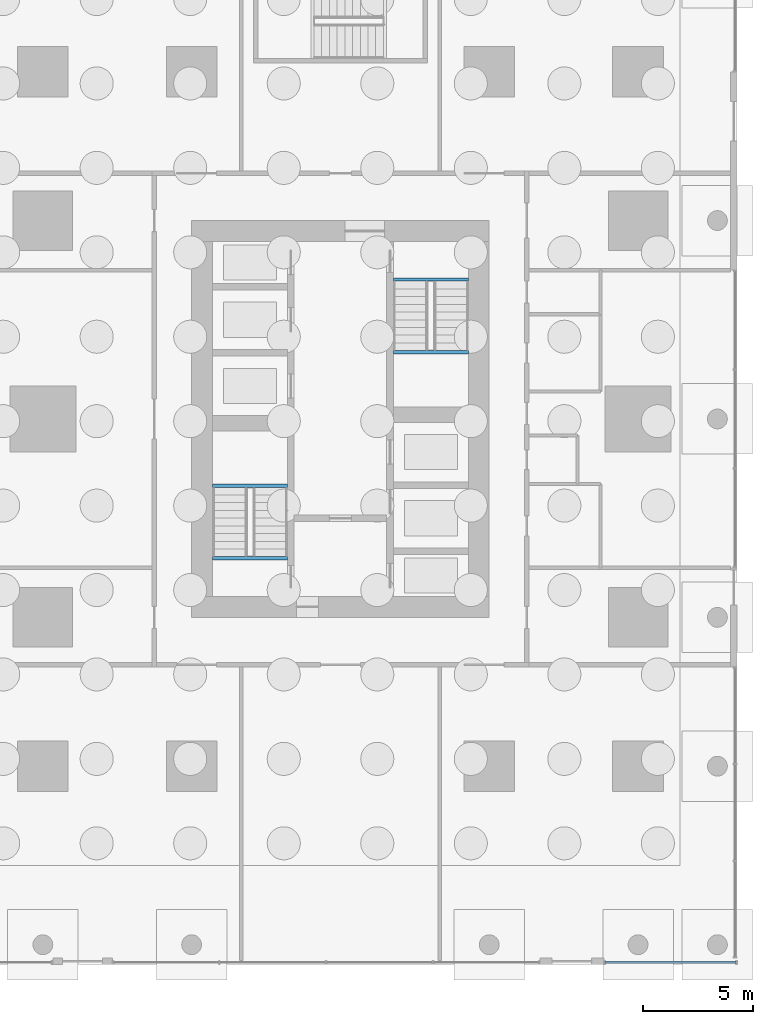
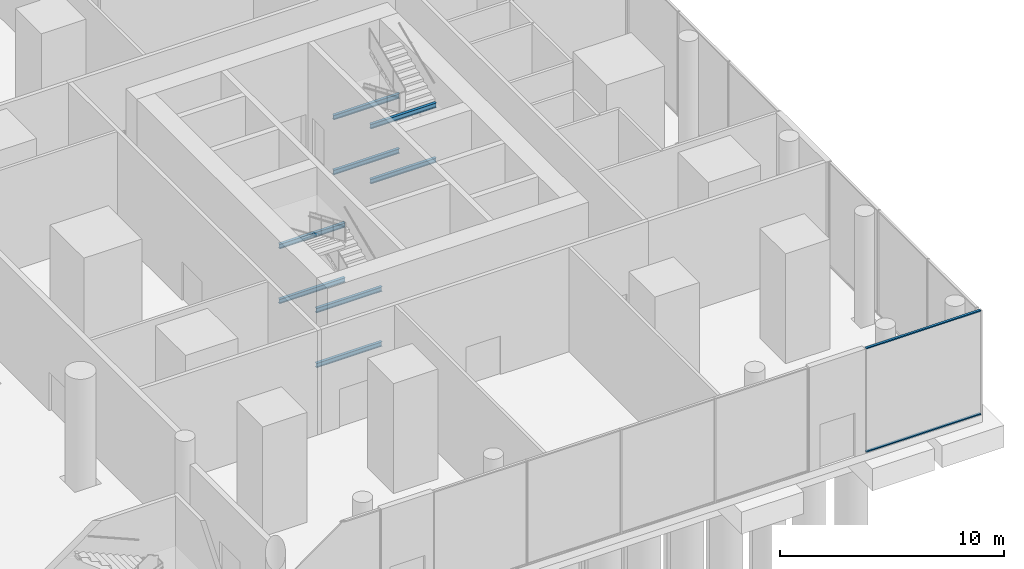
# One storey, part 11 of 31: 8 beams, 2 members, 1 element without a shape of its own.
"""IFC4 building model written with IfcOpenShell, lengths in metres."""

from ifc_helpers import new_model, si_unit, direction, frame, origin, origin_2d, place, context, subcontext, project, spatial, rectangle, i_section, extrude, material, layer, layer_set, material_profile, profile_set, type_object, element, aggregate, save


model = new_model("IFC4")

# Units and contexts
model_context = context("Model", 3, precision=1e-05, world=origin(), true_north=direction((0.0, 1.0)))
body_context = subcontext(model_context, "Body", "Model", "MODEL_VIEW")
ifc_project = project(units=[si_unit("LENGTHUNIT", "METRE"), si_unit("AREAUNIT", "SQUARE_METRE"), si_unit("VOLUMEUNIT", "CUBIC_METRE"), si_unit("PLANEANGLEUNIT", "RADIAN"), si_unit("MASSUNIT", "GRAM", prefix="KILO")], contexts=[model_context])

# Site, building, storey
site_placement = place(None, origin())
site = spatial("IfcSite", under=ifc_project, at=site_placement, CompositionType="ELEMENT")
building_placement = place(site_placement, origin())
building = spatial("IfcBuilding", under=site, at=building_placement, Name="Namib Vertical Campus", CompositionType="ELEMENT")
storey_placement = place(building_placement, origin())
storey = spatial("IfcBuildingStorey", under=building, at=storey_placement, Name="L00", CompositionType="ELEMENT", Elevation=0.0)

# Curtain wall, members
ifc_material_1 = material(Name="Black aluminium curtain wall", Category="aluminium")
ifc_layer = layer(ifc_material_1, 0.199951171875)
ifc_layer_set = layer_set([ifc_layer], Name="Entrance curtain wall CW-EN")
curtain_wall_type = type_object("IfcCurtainWallType", Name="Entrance curtain wall CW-EN", PredefinedType="USERDEFINED", material=ifc_layer_set)
curtain_wall_placement = place(storey_placement, origin())
curtain_wall = element("IfcCurtainWall", 1, at=curtain_wall_placement, inside=storey, type_object=curtain_wall_type, Name="Curtain wall CW-EN L00 13-1", ObjectType="CURTAIN WALL", PredefinedType="USERDEFINED")
ifc_material_2 = material(Name="Black anodised aluminium", Category="aluminium")
ifc_material_profile_1 = material_profile(ifc_material_2, rectangle(XDim=0.06005859375, YDim=0.1201171875, at=origin_2d()))
ifc_profile_set_1 = profile_set([ifc_material_profile_1], Name="Black anodised aluminium")
member_type = type_object("IfcMemberType", Name="Curtain wall transom 60x120", PredefinedType="USERDEFINED", material=ifc_profile_set_1)
member_1_placement = place(storey_placement, frame((93.010009765625, -4.39990234375, 0.030029296875), z_axis=(1.0, 0.0, 0.0), x_axis=(0.0, 0.0, 1.0)))
member_1 = element("IfcMember", 2, at=member_1_placement, type_object=member_type, Name="CW-EN transom 1.1", ObjectType="TRANSOM", PredefinedType="USERDEFINED", context=body_context, shape_type="SweptSolid", body=[
    extrude(rectangle(XDim=0.06005859375, YDim=0.1201171875, at=origin_2d()), origin(), (0.0, 0.0, 1.0), 5.929931640625),
])
member_2_placement = place(storey_placement, frame((93.010009765625, -4.39990234375, 5.669921875), z_axis=(1.0, 0.0, 0.0), x_axis=(0.0, 0.0, 1.0)))
member_2 = element("IfcMember", 3, at=member_2_placement, type_object=member_type, Name="CW-EN transom 1.2", ObjectType="TRANSOM", PredefinedType="USERDEFINED", context=body_context, shape_type="SweptSolid", body=[
    extrude(rectangle(XDim=0.06005859375, YDim=0.1201171875, at=origin_2d()), origin(), (0.0, 0.0, 1.0), 5.929931640625),
])
aggregate(curtain_wall, [member_1, member_2])

# Beams
ifc_material_3 = material(Name="Steel S355JR", Category="steel")
ifc_material_profile_2 = material_profile(ifc_material_3, i_section(OverallWidth=0.14599609375, OverallDepth=0.25146484375, WebThickness=0.006103515625, FlangeThickness=0.008544921875, FilletRadius=0.007568359375, at=origin_2d()))
ifc_profile_set_2 = profile_set([ifc_material_profile_2], Name="Steel S355JR")
beam_type = type_object("IfcBeamType", Name="Landing trimmer UB 254x146x31", PredefinedType="BEAM", material=ifc_profile_set_2)
for number, where, z_axis, x_axis, name in (
    (4, (75.199951171875, 13.927001953125, -0.125732421875), (1.0, 0.0, 0.0), (0.0, 1.0, 0.0), "Landing trimmer LT1 B-S1 L00 1"),
    (5, (75.199951171875, 17.22314453125, 1.374267578125), (1.0, 0.0, 0.0), (0.0, 1.0, 0.0), "Landing trimmer LT1 B-S1 L00 2"),
    (6, (75.199951171875, 13.927001953125, 2.874267578125), (1.0, 0.0, 0.0), (0.0, 1.0, 0.0), "Landing trimmer LT1 B-S1 L00 3"),
    (7, (75.199951171875, 17.22314453125, 4.374267578125), (1.0, 0.0, 0.0), (0.0, 1.0, 0.0), "Landing trimmer LT1 B-S1 L00 4"),
    (8, (83.39990234375, 26.572998046875, -0.125732421875), (1.0, 0.0, 0.0), (0.0, 1.0, 0.0), "Landing trimmer LT1 B-S2 L00 1"),
    (9, (83.39990234375, 23.27685546875, 1.374267578125), (1.0, 0.0, 0.0), (0.0, 1.0, 0.0), "Landing trimmer LT1 B-S2 L00 2"),
    (10, (83.39990234375, 26.572998046875, 2.874267578125), (1.0, 0.0, 0.0), (0.0, 1.0, 0.0), "Landing trimmer LT1 B-S2 L00 3"),
    (11, (83.39990234375, 23.27685546875, 4.374267578125), (1.0, 0.0, 0.0), (0.0, 1.0, 0.0), "Landing trimmer LT1 B-S2 L00 4"),
):
    element("IfcBeam", number, at=place(storey_placement, frame(where, z_axis=z_axis, x_axis=x_axis)), inside=storey, type_object=beam_type, Name=name, PredefinedType="BEAM", context=body_context, shape_type="SweptSolid", body=[
        extrude(i_section(OverallWidth=0.14599609375, OverallDepth=0.25146484375, WebThickness=0.006103515625, FlangeThickness=0.008544921875, FilletRadius=0.007568359375, at=origin_2d()), origin(), (0.0, 0.0, 1.0), 3.400146484375),
    ])

save(model, "model.ifc")
